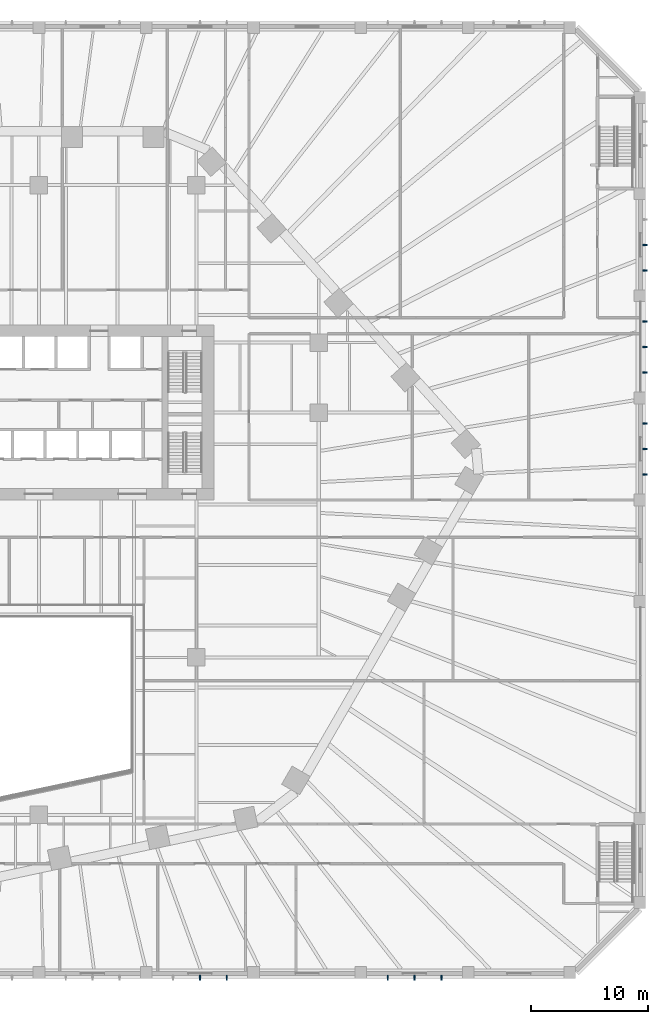
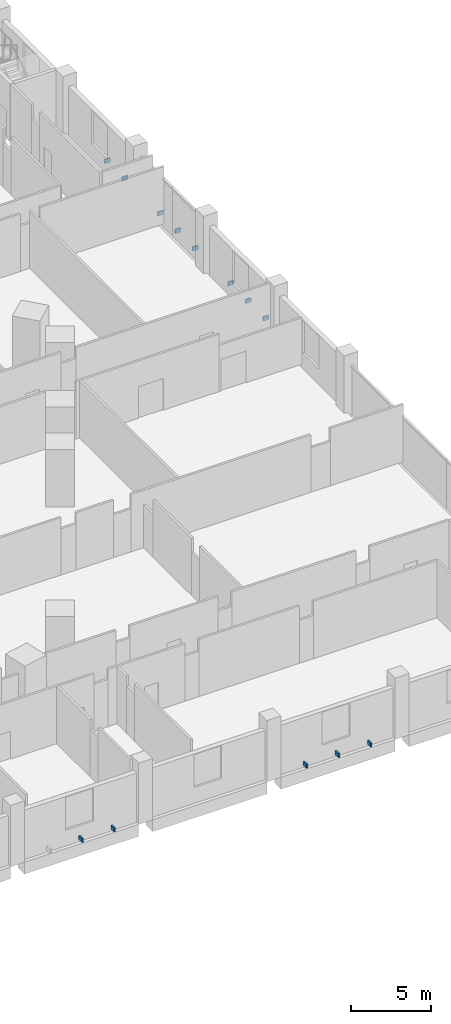
# One storey, part 26 of 33: 13 discrete accessories.
"""IFC4 building model written with IfcOpenShell, lengths in metres."""

import ifcopenshell
import ifcopenshell.guid

model = None  # the IFC model being written
_history = None  # IfcOwnerHistory: only IFC2X3 demands one
_inside = {}  # id of a spatial element -> (the spatial element, [elements in it])
_under = {}  # id of a project, library or spatial element -> (it, [spatial elements below it])
_declared = {}  # id of a project -> (the project, [libraries it declares])
_typed = {}  # id of a type object -> (the type object, [elements of that type])
_made_of = {}  # id of a material, layer set ... -> (it, [elements and type objects made of it])


def new_model(schema):
    """Start an empty IFC model of exactly this schema.

    Asked for "IFC4X3", IfcOpenShell would pick the latest addendum, in which some entities
    have other attributes; the version numbers below select the first issue.
    IFC2X3 requires an IfcOwnerHistory on every rooted entity: one is made here for all.
    """
    global model, _history
    if schema == "IFC4X3":
        model = ifcopenshell.file(schema_version=(4, 3, 0, 0))
    else:
        model = ifcopenshell.file(schema=schema)
    _inside.clear()
    _under.clear()
    _declared.clear()
    _typed.clear()
    _made_of.clear()
    _history = None
    if model.schema == "IFC2X3":
        org = make("IfcOrganization", Name="unknown")
        user = make(
            "IfcPersonAndOrganization",
            ThePerson=make("IfcPerson", FamilyName="unknown"),
            TheOrganization=org,
        )
        app = make(
            "IfcApplication",
            ApplicationDeveloper=org,
            Version="unknown",
            ApplicationFullName="unknown",
            ApplicationIdentifier="unknown",
        )
        _history = make(
            "IfcOwnerHistory",
            OwningUser=user,
            OwningApplication=app,
            ChangeAction="ADDED",
            CreationDate=0,
        )
    return model


def make(cls, **values):
    """One entity of the class cls with the attributes given. An attribute that is None is left unset."""
    return model.create_entity(
        cls, **{name: value for name, value in values.items() if value is not None}
    )


def rooted(cls, **values):
    """An entity with a GlobalId (a new one), such as an element, a storey or a relation."""
    return make(cls, GlobalId=ifcopenshell.guid.new(), OwnerHistory=_history, **values)


def si_unit(unit_type, name, prefix=None):
    """IfcSIUnit, for example si_unit("LENGTHUNIT", "METRE", prefix="MILLI")."""
    return make("IfcSIUnit", UnitType=unit_type, Prefix=prefix, Name=name)


def assignment(units):
    """IfcUnitAssignment: the units of a project."""
    return None if units is None else make("IfcUnitAssignment", Units=units)


def point(xyz):
    """IfcCartesianPoint."""
    return None if xyz is None else make("IfcCartesianPoint", Coordinates=xyz)


def direction(xyz):
    """IfcDirection."""
    return None if xyz is None else make("IfcDirection", DirectionRatios=xyz)


def frame(location, z_axis=None, x_axis=None):
    """IfcAxis2Placement3D, a coordinate frame: its origin and axes. An axis left out is left unset."""
    return make(
        "IfcAxis2Placement3D",
        Location=point(location),
        Axis=direction(z_axis),
        RefDirection=direction(x_axis),
    )


def frame_2d(location, x_axis=None):
    """IfcAxis2Placement2D, a coordinate frame in the plane: its origin and x axis."""
    return make(
        "IfcAxis2Placement2D", Location=point(location), RefDirection=direction(x_axis)
    )


def origin():
    """The frame at (0, 0, 0) with its axes left unset."""
    return frame((0.0, 0.0, 0.0))


def origin_2d():
    """The frame at (0, 0) in the plane with its x axis left unset."""
    return frame_2d((0.0, 0.0))


def place(relative_to, where):
    """IfcLocalPlacement: puts the frame where relative to a parent placement (None: the world)."""
    return make(
        "IfcLocalPlacement", PlacementRelTo=relative_to, RelativePlacement=where
    )


def context(
    kind, dimensions, precision=None, world=None, true_north=None, identifier=None
):
    """IfcGeometricRepresentationContext, for example the 3D "Model" context."""
    return make(
        "IfcGeometricRepresentationContext",
        ContextIdentifier=identifier,
        ContextType=kind,
        CoordinateSpaceDimension=dimensions,
        Precision=precision,
        WorldCoordinateSystem=world,
        TrueNorth=true_north,
    )


def subcontext(parent, identifier, kind, view, scale=None):
    """IfcGeometricRepresentationSubContext, for example "Body" below "Model"."""
    return make(
        "IfcGeometricRepresentationSubContext",
        ContextIdentifier=identifier,
        ContextType=kind,
        ParentContext=parent,
        TargetScale=scale,
        TargetView=view,
    )


def project(units=None, contexts=None):
    """IfcProject with its units and contexts."""
    return rooted(
        "IfcProject",
        Name="project",
        RepresentationContexts=contexts,
        UnitsInContext=assignment(units),
    )


def spatial(cls, under=None, at=None, **own):
    """A site, building, storey or space (cls), placed at a placement, below another one or the project."""
    s = rooted(cls, ObjectPlacement=at, **own)
    if under is not None:
        _under.setdefault(under.id(), (under, []))[1].append(s)
    return s


def profile(cls, at=None, kind="AREA", **sizes):
    """A parametric profile (cls). Its sizes go by their IFC names, for example OverallWidth=200.0."""
    return make(cls, ProfileType=kind, Position=at, **sizes)


def rectangle(**sizes):
    """IfcRectangleProfileDef."""
    return profile("IfcRectangleProfileDef", **sizes)


def extrude(swept, where, along, depth):
    """IfcExtrudedAreaSolid: the profile swept, set in the frame where, extruded along a direction by depth."""
    return make(
        "IfcExtrudedAreaSolid",
        SweptArea=swept,
        Position=where,
        ExtrudedDirection=direction(along),
        Depth=depth,
    )


def shape(context_of_items, identifier, shape_type, items):
    """IfcShapeRepresentation: the items that make up one representation, for example the "Body"."""
    return make(
        "IfcShapeRepresentation",
        ContextOfItems=context_of_items,
        RepresentationIdentifier=identifier,
        RepresentationType=shape_type,
        Items=items,
    )


def material(Name=None, Category=None):
    """IfcMaterial."""
    return make("IfcMaterial", Name=Name, Category=Category)


def made_of(thing, what):
    """Note that an element or type object is made of a material, layer set ...; save() writes the relation."""
    if what is not None:
        _made_of.setdefault(what.id(), (what, []))[1].append(thing)
    return thing


def type_object(cls, material=None, **own):
    """A type object (cls), such as IfcWallType, which elements share."""
    return made_of(rooted(cls, **own), material)


def element(
    cls,
    number,
    at=None,
    inside=None,
    cuts=None,
    type_object=None,
    material=None,
    context=None,
    identifier="Body",
    shape_type=None,
    held_by="IfcProductDefinitionShape",
    body=None,
    shapes=None,
    **own,
):
    """One element of the class cls, such as IfcWall. Its Tag is "e" and its number.

    at: its placement. inside: the storey or other place that contains it. cuts: it is an
    opening in that element (IfcRelVoidsElement). A single representation is given by context,
    identifier, shape_type and body (its items); several are given by shapes. held_by: the class
    of the entity that holds the representations. save() writes the other relations.
    """
    e = rooted(cls, Tag="e%d" % number, ObjectPlacement=at, **own)
    if body is not None:
        shapes = [shape(context, identifier, shape_type, body)]
    if shapes is not None:
        e.Representation = make(held_by, Representations=shapes)
    if inside is not None:
        _inside.setdefault(inside.id(), (inside, []))[1].append(e)
    if cuts is not None:
        rooted(
            "IfcRelVoidsElement", RelatingBuildingElement=cuts, RelatedOpeningElement=e
        )
    if type_object is not None:
        _typed.setdefault(type_object.id(), (type_object, []))[1].append(e)
    return made_of(e, material)


def aggregate(whole, parts):
    """IfcRelAggregates: a whole, such as a stair, and the parts it consists of."""
    return rooted("IfcRelAggregates", RelatingObject=whole, RelatedObjects=parts)


def save(model, path):
    """Write the relations noted so far, then the file.

    IfcRelAggregates (storeys below a building ...), IfcRelContainedInSpatialStructure (elements
    in a storey), IfcRelDefinesByType, IfcRelAssociatesMaterial and IfcRelDeclares: one each for
    every whole, place, type object, material and project.
    """
    for whole, parts in _under.values():
        aggregate(whole, parts)
    for where, things in _inside.values():
        rooted(
            "IfcRelContainedInSpatialStructure",
            RelatedElements=things,
            RelatingStructure=where,
        )
    for kind, things in _typed.values():
        rooted("IfcRelDefinesByType", RelatedObjects=things, RelatingType=kind)
    for what, things in _made_of.values():
        rooted("IfcRelAssociatesMaterial", RelatedObjects=things, RelatingMaterial=what)
    for by, libraries in _declared.values():
        rooted("IfcRelDeclares", RelatingContext=by, RelatedDefinitions=libraries)
    model.write(path)


model = new_model("IFC4")

# Units and contexts
model_context = context("Model", 3, precision=1e-05, world=origin(), true_north=direction((0.0, 1.0)))
body_context = subcontext(model_context, "Body", "Model", "MODEL_VIEW")
ifc_project = project(units=[si_unit("LENGTHUNIT", "METRE"), si_unit("AREAUNIT", "SQUARE_METRE"), si_unit("VOLUMEUNIT", "CUBIC_METRE"), si_unit("PLANEANGLEUNIT", "RADIAN"), si_unit("MASSUNIT", "GRAM", prefix="KILO")], contexts=[model_context])

# Site, building, storey
site_placement = place(None, origin())
site = spatial("IfcSite", under=ifc_project, at=site_placement, CompositionType="ELEMENT")
building_placement = place(site_placement, origin())
building = spatial("IfcBuilding", under=site, at=building_placement, Name="Isthmus Gate Tower", CompositionType="ELEMENT")
storey_placement = place(building_placement, frame((0.0, 0.0, 31.5)))
storey = spatial("IfcBuildingStorey", under=building, at=storey_placement, Name="L05", CompositionType="ELEMENT", Elevation=31.5)

# Discrete accessories
ifc_material = material(Name="Structural steel ASTM A572 Gr 50, white paint system", Category="steel")
discrete_accessory_type = type_object("IfcDiscreteAccessoryType", Name="FIN BRACKET 120 X 400 X 300", PredefinedType="BRACKET", material=ifc_material)
for number, where, z_axis, x_axis, name in (
    (1, (51.949951171875, 2.1875, -0.14990234375), (0.0, 0.0, 1.0), (1.0, 0.0, 0.0), "FIN BRACKET"),
    (2, (51.949951171875, 4.375, -0.14990234375), (0.0, 0.0, 1.0), (1.0, 0.0, 0.0), "FIN BRACKET"),
    (3, (51.949951171875, 6.5625, -0.14990234375), (0.0, 0.0, 1.0), (1.0, 0.0, 0.0), "FIN BRACKET"),
    (4, (51.949951171875, 10.9375, -0.14990234375), (0.0, 0.0, 1.0), (1.0, 0.0, 0.0), "FIN BRACKET"),
    (5, (51.949951171875, 13.125, -0.14990234375), (0.0, 0.0, 1.0), (1.0, 0.0, 0.0), "FIN BRACKET"),
    (6, (51.949951171875, 15.3125, -0.14990234375), (0.0, 0.0, 1.0), (1.0, 0.0, 0.0), "FIN BRACKET"),
    (7, (51.949951171875, 19.6875, -0.14990234375), (0.0, 0.0, 1.0), (1.0, 0.0, 0.0), "FIN BRACKET"),
    (8, (51.949951171875, 21.875, -0.14990234375), (0.0, 0.0, 1.0), (1.0, 0.0, 0.0), "FIN BRACKET"),
    (9, (13.800048828125, -40.949951171875, -0.14990234375), (0.0, 0.0, 1.0), (0.0, -1.0, 0.0), "FIN BRACKET"),
    (10, (16.10009765625, -40.949951171875, -0.14990234375), (0.0, 0.0, 1.0), (0.0, -1.0, 0.0), "FIN BRACKET"),
    (11, (29.89990234375, -40.949951171875, -0.14990234375), (0.0, 0.0, 1.0), (0.0, -1.0, 0.0), "FIN BRACKET"),
    (12, (32.199951171875, -40.949951171875, -0.14990234375), (0.0, 0.0, 1.0), (0.0, -1.0, 0.0), "FIN BRACKET"),
    (13, (34.5, -40.949951171875, -0.14990234375), (0.0, 0.0, 1.0), (0.0, -1.0, 0.0), "FIN BRACKET"),
):
    element("IfcDiscreteAccessory", number, at=place(storey_placement, frame(where, z_axis=z_axis, x_axis=x_axis)), inside=storey, type_object=discrete_accessory_type, Name=name, PredefinedType="BRACKET", context=body_context, shape_type="SweptSolid", body=[
        extrude(rectangle(XDim=0.39990234375, YDim=0.1201171875, at=origin_2d()), origin(), (0.0, 0.0, 1.0), 0.300048828125),
    ])

save(model, "model.ifc")
